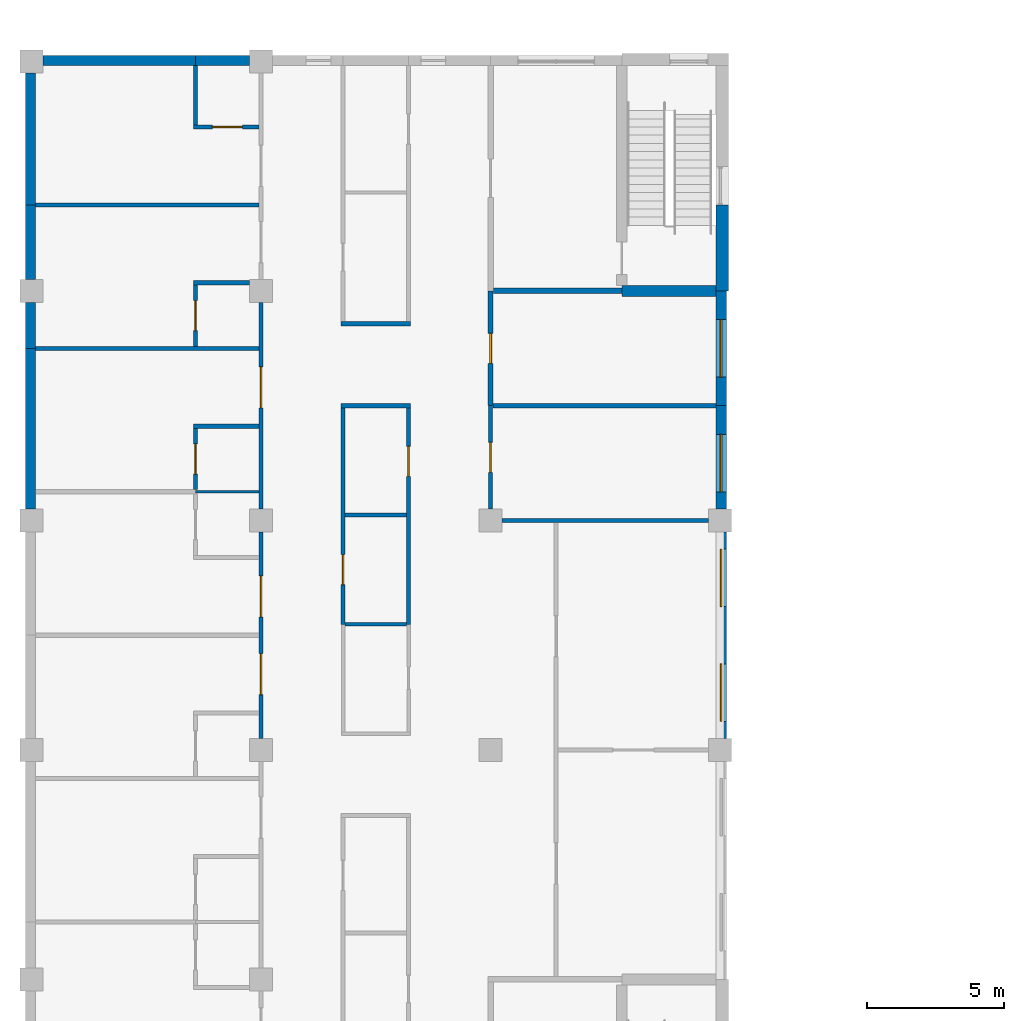
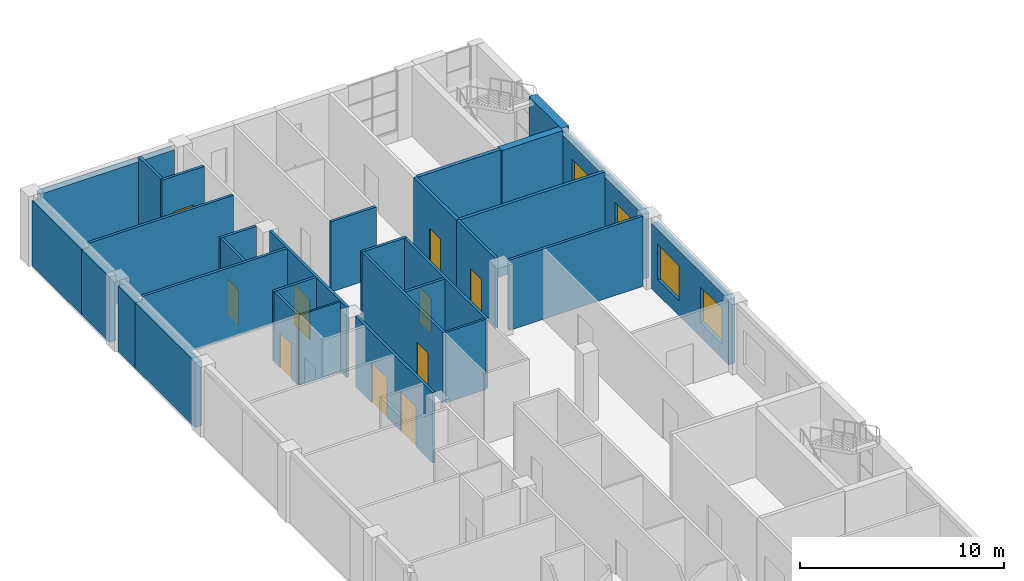
# One storey, part 44 of 66: 33 walls, 10 doors, 4 windows, 14 openings.
"""IFC4 building model written with IfcOpenShell, lengths in metres."""

from ifc_helpers import new_model, si_unit, direction, frame, frame_2d, origin, place, context, subcontext, project, spatial, rectangle, extrude, material, layer, layer_set, type_object, element, fill, save


model = new_model("IFC4")

# Units and contexts
model_context = context("Model", 3, precision=1e-05, world=origin(), true_north=direction((0.0, 1.0)))
body_context = subcontext(model_context, "Body", "Model", "MODEL_VIEW")
ifc_project = project(units=[si_unit("LENGTHUNIT", "METRE"), si_unit("AREAUNIT", "SQUARE_METRE"), si_unit("VOLUMEUNIT", "CUBIC_METRE"), si_unit("PLANEANGLEUNIT", "RADIAN"), si_unit("MASSUNIT", "GRAM", prefix="KILO")], contexts=[model_context])

# Site, building, storey
site_placement = place(None, origin())
site = spatial("IfcSite", under=ifc_project, at=site_placement, CompositionType="ELEMENT")
building_placement = place(site_placement, origin())
building = spatial("IfcBuilding", under=site, at=building_placement, Name="Yavir Park General Hospital", CompositionType="ELEMENT")
storey_placement = place(building_placement, frame((0.0, 0.0, 8.39990234375)))
storey = spatial("IfcBuildingStorey", under=building, at=storey_placement, Name="L02", CompositionType="ELEMENT", Elevation=8.39990234375)

# Wall
ifc_material_1 = material(Name="Double-leaf gypsum board acoustic partition on staggered studs")
ifc_layer_1 = layer(ifc_material_1, 0.175048828125)
ifc_layer_set_1 = layer_set([ifc_layer_1], Name="Double-leaf gypsum board acoustic partition on staggered studs")
wall_type_1 = type_object("IfcWallType", Name="Acoustic partition 175", PredefinedType="PARTITIONING", material=ifc_layer_set_1)
wall_1_placement = place(storey_placement, frame((16.887451171875, 105.0, 0.0), z_axis=(0.0, 0.0, 1.0), x_axis=(1.0, 0.0, 0.0)))
element("IfcWall", 1, at=wall_1_placement, inside=storey, type_object=wall_type_1, Name="AP175 L02-146", PredefinedType="PARTITIONING", context=body_context, shape_type="SweptSolid", body=[
    extrude(rectangle(XDim=8.16259765625, YDim=0.175048828125, at=frame_2d((4.081298828125, 0.0))), origin(), (0.0, 0.0, 1.0), 4.2001953125),
])

# Wall, opening, door
wall_2_placement = place(storey_placement, frame((16.800048828125, 105.0, 0.0), z_axis=(0.0, 0.0, 1.0), x_axis=(0.0, 1.0, 0.0)))
wall_2 = element("IfcWall", 2, at=wall_2_placement, inside=storey, type_object=wall_type_1, Name="AP175 L02-205", PredefinedType="PARTITIONING", context=body_context, shape_type="SweptSolid", body=[
    extrude(rectangle(XDim=4.199951171875, YDim=0.175048828125, at=frame_2d((2.10009765625, 0.0))), origin(), (0.0, 0.0, 1.0), 4.2001953125),
])
opening_1_placement = place(wall_2_placement, frame((1.550048828125, 0.0, 0.0)))
opening_1 = element("IfcOpeningElement", 3, at=opening_1_placement, cuts=wall_2, Name="Opening L02.D165", PredefinedType="OPENING", context=body_context, shape_type="SweptSolid", body=[
    extrude(rectangle(XDim=1.10009765625, YDim=2.10009765625, at=frame_2d((0.550048828125, 1.050048828125))), frame((0.0, 0.097412109375, 0.0), z_axis=(0.0, -1.0, 0.0), x_axis=(1.0, 0.0, 0.0)), (0.0, 0.0, 1.0), 0.195068359375),
])
ifc_material_2 = material(Name="Sealed solid-core acoustic door leaf, Rw 42 dB")
door_type_1 = type_object("IfcDoorType", Name="Acoustic door 1100 x 2100", OperationType="SINGLE_SWING_LEFT", PredefinedType="DOOR", material=ifc_material_2)
door_1_placement = place(opening_1_placement, origin())
door_1 = element("IfcDoor", 4, at=door_1_placement, inside=storey, type_object=door_type_1, Name="L02.D165", OperationType="SINGLE_SWING_LEFT", OverallHeight=2.10009765625, OverallWidth=1.10009765625, PredefinedType="DOOR", context=body_context, shape_type="SweptSolid", body=[
    extrude(rectangle(XDim=1.10009765625, YDim=2.10009765625, at=frame_2d((0.550048828125, 1.050048828125))), frame((0.0, 0.03515625, 0.0), z_axis=(0.0, -1.0, 0.0), x_axis=(1.0, 0.0, 0.0)), (0.0, 0.0, 1.0), 0.070068359375),
])
fill(opening_1, door_1)

# Walls
ifc_material_3 = material(Name="Double gypsum board fire partition on steel studs", Category="steel")
ifc_layer_2 = layer(ifc_material_3, 0.199951171875)
ifc_layer_set_2 = layer_set([ifc_layer_2], Name="Double gypsum board fire partition on steel studs")
wall_type_2 = type_object("IfcWallType", Name="Fire-rated partition 200, EI 60", PredefinedType="PARTITIONING", material=ifc_layer_set_2)
wall_3_placement = place(storey_placement, frame((16.89990234375, 109.199951171875, 0.0), z_axis=(0.0, 0.0, 1.0), x_axis=(1.0, 0.0, 0.0)))
element("IfcWall", 5, at=wall_3_placement, inside=storey, type_object=wall_type_2, Name="FP20 L02-149", PredefinedType="PARTITIONING", context=body_context, shape_type="SweptSolid", body=[
    extrude(rectangle(XDim=4.7001953125, YDim=0.199951171875, at=frame_2d((2.35009765625, 0.0))), origin(), (0.0, 0.0, 1.0), 4.2001953125),
])
ifc_material_4 = material(Name="Gypsum board partition on steel studs", Category="steel")
ifc_layer_3 = layer(ifc_material_4, 0.10009765625)
ifc_layer_set_3 = layer_set([ifc_layer_3], Name="Gypsum board partition on steel studs")
wall_type_3 = type_object("IfcWallType", Name="Gypsum board partition 100", PredefinedType="PARTITIONING", material=ifc_layer_set_3)
wall_4_placement = place(storey_placement, frame((6.0, 101.85009765625, 0.0), z_axis=(0.0, 0.0, 1.0), x_axis=(1.0, 0.0, 0.0)))
element("IfcWall", 6, at=wall_4_placement, inside=storey, type_object=wall_type_3, Name="P10 L02-143", PredefinedType="PARTITIONING", context=body_context, shape_type="SweptSolid", body=[
    extrude(rectangle(XDim=2.324951171875, YDim=0.10009765625, at=frame_2d((1.16259765625, 0.0))), origin(), (0.0, 0.0, 1.0), 4.2001953125),
])
ifc_material_5 = material(Name="Gypsum board partition on steel studs", Category="steel")
ifc_layer_4 = layer(ifc_material_5, 0.14990234375)
ifc_layer_set_4 = layer_set([ifc_layer_4], Name="Gypsum board partition on steel studs")
wall_type_4 = type_object("IfcWallType", Name="Gypsum board partition 150", PredefinedType="PARTITIONING", material=ifc_layer_set_4)
wall_5_placement = place(storey_placement, frame((17.22509765625, 100.800048828125, 0.0), z_axis=(0.0, 0.0, 1.0), x_axis=(1.0, 0.0, 0.0)))
element("IfcWall", 7, at=wall_5_placement, inside=storey, type_object=wall_type_4, Name="P15 L02-140", PredefinedType="PARTITIONING", context=body_context, shape_type="SweptSolid", body=[
    extrude(rectangle(XDim=7.5498046875, YDim=0.14990234375, at=frame_2d((3.77490234375, 0.0))), origin(), (0.0, 0.0, 1.0), 4.2001953125),
])
wall_6_placement = place(storey_placement, frame((11.47509765625, 101.0, 0.0), z_axis=(0.0, 0.0, 1.0), x_axis=(1.0, 0.0, 0.0)))
element("IfcWall", 8, at=wall_6_placement, inside=storey, type_object=wall_type_4, Name="P15 L02-141", PredefinedType="PARTITIONING", context=body_context, shape_type="SweptSolid", body=[
    extrude(rectangle(XDim=2.25, YDim=0.14990234375, at=frame_2d((1.125, 0.0))), origin(), (0.0, 0.0, 1.0), 4.2001953125),
])
wall_7_placement = place(storey_placement, frame((5.925048828125, 104.25, 0.0), z_axis=(0.0, 0.0, 1.0), x_axis=(1.0, 0.0, 0.0)))
element("IfcWall", 9, at=wall_7_placement, inside=storey, type_object=wall_type_4, Name="P15 L02-144", PredefinedType="PARTITIONING", context=body_context, shape_type="SweptSolid", body=[
    extrude(rectangle(XDim=2.39990234375, YDim=0.14990234375, at=frame_2d((1.199951171875, 0.0))), origin(), (0.0, 0.0, 1.0), 4.2001953125),
])
wall_8_placement = place(storey_placement, frame((11.324951171875, 105.0, 0.0), z_axis=(0.0, 0.0, 1.0), x_axis=(1.0, 0.0, 0.0)))
element("IfcWall", 10, at=wall_8_placement, inside=storey, type_object=wall_type_4, Name="P15 L02-145", PredefinedType="PARTITIONING", context=body_context, shape_type="SweptSolid", body=[
    extrude(rectangle(XDim=2.550048828125, YDim=0.14990234375, at=frame_2d((1.27490234375, 0.0))), origin(), (0.0, 0.0, 1.0), 4.2001953125),
])
wall_9_placement = place(storey_placement, frame((0.14990234375, 107.10009765625, 0.0), z_axis=(0.0, 0.0, 1.0), x_axis=(1.0, 0.0, 0.0)))
element("IfcWall", 11, at=wall_9_placement, inside=storey, type_object=wall_type_4, Name="P15 L02-147", PredefinedType="PARTITIONING", context=body_context, shape_type="SweptSolid", body=[
    extrude(rectangle(XDim=8.175048828125, YDim=0.14990234375, at=frame_2d((4.08740234375, 0.0))), origin(), (0.0, 0.0, 1.0), 4.2001953125),
])
wall_10_placement = place(storey_placement, frame((11.324951171875, 108.0, 0.0), z_axis=(0.0, 0.0, 1.0), x_axis=(1.0, 0.0, 0.0)))
element("IfcWall", 12, at=wall_10_placement, inside=storey, type_object=wall_type_4, Name="P15 L02-148", PredefinedType="PARTITIONING", context=body_context, shape_type="SweptSolid", body=[
    extrude(rectangle(XDim=2.550048828125, YDim=0.14990234375, at=frame_2d((1.27490234375, 0.0))), origin(), (0.0, 0.0, 1.0), 4.2001953125),
])
wall_11_placement = place(storey_placement, frame((5.925048828125, 109.5, 0.0), z_axis=(0.0, 0.0, 1.0), x_axis=(1.0, 0.0, 0.0)))
element("IfcWall", 13, at=wall_11_placement, inside=storey, type_object=wall_type_4, Name="P15 L02-151", PredefinedType="PARTITIONING", context=body_context, shape_type="SweptSolid", body=[
    extrude(rectangle(XDim=2.050048828125, YDim=0.14990234375, at=frame_2d((1.02490234375, 0.0))), origin(), (0.0, 0.0, 1.0), 4.2001953125),
])
wall_12_placement = place(storey_placement, frame((0.14990234375, 112.35009765625, 0.0), z_axis=(0.0, 0.0, 1.0), x_axis=(1.0, 0.0, 0.0)))
element("IfcWall", 14, at=wall_12_placement, inside=storey, type_object=wall_type_4, Name="P15 L02-152", PredefinedType="PARTITIONING", context=body_context, shape_type="SweptSolid", body=[
    extrude(rectangle(XDim=8.175048828125, YDim=0.14990234375, at=frame_2d((4.08740234375, 0.0))), origin(), (0.0, 0.0, 1.0), 4.2001953125),
])

# Wall, opening, door
wall_13_placement = place(storey_placement, frame((5.925048828125, 115.199951171875, 0.0), z_axis=(0.0, 0.0, 1.0), x_axis=(1.0, 0.0, 0.0)))
wall_13 = element("IfcWall", 15, at=wall_13_placement, inside=storey, type_object=wall_type_4, Name="P15 L02-154", PredefinedType="PARTITIONING", context=body_context, shape_type="SweptSolid", body=[
    extrude(rectangle(XDim=2.39990234375, YDim=0.14990234375, at=frame_2d((1.199951171875, 0.0))), origin(), (0.0, 0.0, 1.0), 4.2001953125),
])
opening_2_placement = place(wall_13_placement, frame((0.6875, 0.0, 0.0)))
opening_2 = element("IfcOpeningElement", 16, at=opening_2_placement, cuts=wall_13, Name="Opening L02.D106", PredefinedType="OPENING", context=body_context, shape_type="SweptSolid", body=[
    extrude(rectangle(XDim=1.10009765625, YDim=2.10009765625, at=frame_2d((0.550048828125, 1.050048828125))), frame((0.0, 0.0849609375, 0.0), z_axis=(0.0, -1.0, 0.0), x_axis=(1.0, 0.0, 0.0)), (0.0, 0.0, 1.0), 0.169921875),
])
ifc_material_6 = material(Name="Hollow metal frame, solid-core timber leaf", Category="wood")
door_type_2 = type_object("IfcDoorType", Name="Single swing door 1100 x 2100", OperationType="SINGLE_SWING_LEFT", PredefinedType="DOOR", material=ifc_material_6)
door_2_placement = place(opening_2_placement, origin())
door_2 = element("IfcDoor", 17, at=door_2_placement, inside=storey, type_object=door_type_2, Name="L02.D106", OperationType="SINGLE_SWING_RIGHT", OverallHeight=2.10009765625, OverallWidth=1.10009765625, PredefinedType="DOOR", context=body_context, shape_type="SweptSolid", body=[
    extrude(rectangle(XDim=1.10009765625, YDim=2.10009765625, at=frame_2d((0.550048828125, 1.050048828125))), frame((0.0, 0.02490234375, 0.0), z_axis=(0.0, -1.0, 0.0), x_axis=(1.0, 0.0, 0.0)), (0.0, 0.0, 1.0), 0.050048828125),
])
fill(opening_2, door_2)

wall_14_placement = place(storey_placement, frame((6.0, 101.925048828125, 0.0), z_axis=(0.0, 0.0, 1.0), x_axis=(0.0, 1.0, 0.0)))
wall_14 = element("IfcWall", 18, at=wall_14_placement, inside=storey, type_object=wall_type_4, Name="P15 L02-162", PredefinedType="PARTITIONING", context=body_context, shape_type="SweptSolid", body=[
    extrude(rectangle(XDim=2.25, YDim=0.14990234375, at=frame_2d((1.125, 0.0))), origin(), (0.0, 0.0, 1.0), 4.2001953125),
])
opening_3_placement = place(wall_14_placement, frame((0.574951171875, 0.0, 0.0)))
opening_3 = element("IfcOpeningElement", 19, at=opening_3_placement, cuts=wall_14, Name="Opening L02.D115", PredefinedType="OPENING", context=body_context, shape_type="SweptSolid", body=[
    extrude(rectangle(XDim=1.10009765625, YDim=2.10009765625, at=frame_2d((0.550048828125, 1.050048828125))), frame((0.0, 0.0849609375, 0.0), z_axis=(0.0, -1.0, 0.0), x_axis=(1.0, 0.0, 0.0)), (0.0, 0.0, 1.0), 0.169921875),
])
door_3_placement = place(opening_3_placement, origin())
door_3 = element("IfcDoor", 20, at=door_3_placement, inside=storey, type_object=door_type_2, Name="L02.D115", OperationType="SINGLE_SWING_RIGHT", OverallHeight=2.10009765625, OverallWidth=1.10009765625, PredefinedType="DOOR", context=body_context, shape_type="SweptSolid", body=[
    extrude(rectangle(XDim=1.10009765625, YDim=2.10009765625, at=frame_2d((0.550048828125, 1.050048828125))), frame((0.0, 0.02490234375, 0.0), z_axis=(0.0, -1.0, 0.0), x_axis=(1.0, 0.0, 0.0)), (0.0, 0.0, 1.0), 0.050048828125),
])
fill(opening_3, door_3)

wall_15_placement = place(storey_placement, frame((6.0, 107.175048828125, 0.0), z_axis=(0.0, 0.0, 1.0), x_axis=(0.0, 1.0, 0.0)))
wall_15 = element("IfcWall", 21, at=wall_15_placement, inside=storey, type_object=wall_type_4, Name="P15 L02-163", PredefinedType="PARTITIONING", context=body_context, shape_type="SweptSolid", body=[
    extrude(rectangle(XDim=2.25, YDim=0.14990234375, at=frame_2d((1.125, 0.0))), origin(), (0.0, 0.0, 1.0), 4.2001953125),
])
opening_4_placement = place(wall_15_placement, frame((0.574951171875, 0.0, 0.0)))
opening_4 = element("IfcOpeningElement", 22, at=opening_4_placement, cuts=wall_15, Name="Opening L02.D116", PredefinedType="OPENING", context=body_context, shape_type="SweptSolid", body=[
    extrude(rectangle(XDim=1.10009765625, YDim=2.10009765625, at=frame_2d((0.550048828125, 1.050048828125))), frame((0.0, 0.0849609375, 0.0), z_axis=(0.0, -1.0, 0.0), x_axis=(1.0, 0.0, 0.0)), (0.0, 0.0, 1.0), 0.169921875),
])
door_4_placement = place(opening_4_placement, origin())
door_4 = element("IfcDoor", 23, at=door_4_placement, inside=storey, type_object=door_type_2, Name="L02.D116", OperationType="SINGLE_SWING_RIGHT", OverallHeight=2.10009765625, OverallWidth=1.10009765625, PredefinedType="DOOR", context=body_context, shape_type="SweptSolid", body=[
    extrude(rectangle(XDim=1.10009765625, YDim=2.10009765625, at=frame_2d((0.550048828125, 1.050048828125))), frame((0.0, 0.02490234375, 0.0), z_axis=(0.0, -1.0, 0.0), x_axis=(1.0, 0.0, 0.0)), (0.0, 0.0, 1.0), 0.050048828125),
])
fill(opening_4, door_4)

# Wall
wall_16_placement = place(storey_placement, frame((6.0, 115.27490234375, 0.0), z_axis=(0.0, 0.0, 1.0), x_axis=(0.0, 1.0, 0.0)))
element("IfcWall", 24, at=wall_16_placement, inside=storey, type_object=wall_type_4, Name="P15 L02-164", PredefinedType="PARTITIONING", context=body_context, shape_type="SweptSolid", body=[
    extrude(rectangle(XDim=2.175048828125, YDim=0.14990234375, at=frame_2d((1.08740234375, 0.0))), origin(), (0.0, 0.0, 1.0), 4.2001953125),
])

# Wall, openings, doors
wall_17_placement = place(storey_placement, frame((8.39990234375, 92.824951171875, 0.0), z_axis=(0.0, 0.0, 1.0), x_axis=(0.0, 1.0, 0.0)))
wall_17 = element("IfcWall", 25, at=wall_17_placement, inside=storey, type_object=wall_type_4, Name="P15 L02-175", PredefinedType="PARTITIONING", context=body_context, shape_type="SweptSolid", body=[
    extrude(rectangle(XDim=7.550048828125, YDim=0.14990234375, at=frame_2d((3.77490234375, 0.0))), origin(), (0.0, 0.0, 1.0), 4.2001953125),
])
opening_5_placement = place(wall_17_placement, frame((1.60009765625, 0.0, 0.0)))
opening_5 = element("IfcOpeningElement", 26, at=opening_5_placement, cuts=wall_17, Name="Opening L02.D126", PredefinedType="OPENING", context=body_context, shape_type="SweptSolid", body=[
    extrude(rectangle(XDim=1.5, YDim=2.39990234375, at=frame_2d((0.75, 1.199951171875))), frame((0.0, 0.0849609375, 0.0), z_axis=(0.0, -1.0, 0.0), x_axis=(1.0, 0.0, 0.0)), (0.0, 0.0, 1.0), 0.169921875),
])
opening_6_placement = place(wall_17_placement, frame((4.449951171875, 0.0, 0.0)))
opening_6 = element("IfcOpeningElement", 27, at=opening_6_placement, cuts=wall_17, Name="Opening L02.D127", PredefinedType="OPENING", context=body_context, shape_type="SweptSolid", body=[
    extrude(rectangle(XDim=1.5, YDim=2.39990234375, at=frame_2d((0.75, 1.199951171875))), frame((0.0, 0.0849609375, 0.0), z_axis=(0.0, -1.0, 0.0), x_axis=(1.0, 0.0, 0.0)), (0.0, 0.0, 1.0), 0.169921875),
])
ifc_material_7 = material(Name="Solid-core timber leaves, push plates, kick plates", Category="wood")
door_type_3 = type_object("IfcDoorType", Name="Bed door, unequal leaves 1500 x 2400", OperationType="DOUBLE_DOOR_SINGLE_SWING", PredefinedType="DOOR", material=ifc_material_7)
door_5_placement = place(opening_5_placement, origin())
door_5 = element("IfcDoor", 28, at=door_5_placement, inside=storey, type_object=door_type_3, Name="L02.D126", OperationType="SINGLE_SWING_LEFT", OverallHeight=2.39990234375, OverallWidth=1.5, PredefinedType="DOOR", context=body_context, shape_type="SweptSolid", body=[
    extrude(rectangle(XDim=1.5, YDim=2.39990234375, at=frame_2d((0.75, 1.199951171875))), frame((0.0, 0.030029296875, 0.0), z_axis=(0.0, -1.0, 0.0), x_axis=(1.0, 0.0, 0.0)), (0.0, 0.0, 1.0), 0.06005859375),
])
fill(opening_5, door_5)
door_6_placement = place(opening_6_placement, origin())
door_6 = element("IfcDoor", 29, at=door_6_placement, inside=storey, type_object=door_type_3, Name="L02.D127", OperationType="SINGLE_SWING_RIGHT", OverallHeight=2.39990234375, OverallWidth=1.5, PredefinedType="DOOR", context=body_context, shape_type="SweptSolid", body=[
    extrude(rectangle(XDim=1.5, YDim=2.39990234375, at=frame_2d((0.75, 1.199951171875))), frame((0.0, 0.030029296875, 0.0), z_axis=(0.0, -1.0, 0.0), x_axis=(1.0, 0.0, 0.0)), (0.0, 0.0, 1.0), 0.06005859375),
])
fill(opening_6, door_6)

# Wall, opening, door
wall_18_placement = place(storey_placement, frame((8.39990234375, 101.22509765625, 0.0), z_axis=(0.0, 0.0, 1.0), x_axis=(0.0, 1.0, 0.0)))
wall_18 = element("IfcWall", 30, at=wall_18_placement, inside=storey, type_object=wall_type_4, Name="P15 L02-176", PredefinedType="PARTITIONING", context=body_context, shape_type="SweptSolid", body=[
    extrude(rectangle(XDim=7.5498046875, YDim=0.14990234375, at=frame_2d((3.77490234375, 0.0))), origin(), (0.0, 0.0, 1.0), 4.2001953125),
])
opening_7_placement = place(wall_18_placement, frame((3.699951171875, 0.0, 0.0)))
opening_7 = element("IfcOpeningElement", 31, at=opening_7_placement, cuts=wall_18, Name="Opening L02.D128", PredefinedType="OPENING", context=body_context, shape_type="SweptSolid", body=[
    extrude(rectangle(XDim=1.5, YDim=2.39990234375, at=frame_2d((0.75, 1.199951171875))), frame((0.0, 0.0849609375, 0.0), z_axis=(0.0, -1.0, 0.0), x_axis=(1.0, 0.0, 0.0)), (0.0, 0.0, 1.0), 0.169921875),
])
door_7_placement = place(opening_7_placement, origin())
door_7 = element("IfcDoor", 32, at=door_7_placement, inside=storey, type_object=door_type_3, Name="L02.D128", OperationType="SINGLE_SWING_RIGHT", OverallHeight=2.39990234375, OverallWidth=1.5, PredefinedType="DOOR", context=body_context, shape_type="SweptSolid", body=[
    extrude(rectangle(XDim=1.5, YDim=2.39990234375, at=frame_2d((0.75, 1.199951171875))), frame((0.0, 0.030029296875, 0.0), z_axis=(0.0, -1.0, 0.0), x_axis=(1.0, 0.0, 0.0)), (0.0, 0.0, 1.0), 0.06005859375),
])
fill(opening_7, door_7)

wall_19_placement = place(storey_placement, frame((11.39990234375, 97.0, 0.0), z_axis=(0.0, 0.0, 1.0), x_axis=(0.0, 1.0, 0.0)))
wall_19 = element("IfcWall", 33, at=wall_19_placement, inside=storey, type_object=wall_type_4, Name="P15 L02-183", PredefinedType="PARTITIONING", context=body_context, shape_type="SweptSolid", body=[
    extrude(rectangle(XDim=7.925048828125, YDim=0.14990234375, at=frame_2d((3.96240234375, 0.0))), origin(), (0.0, 0.0, 1.0), 4.2001953125),
])
opening_8_placement = place(wall_19_placement, frame((1.449951171875, 0.0, 0.0)))
opening_8 = element("IfcOpeningElement", 34, at=opening_8_placement, cuts=wall_19, Name="Opening L02.D140", PredefinedType="OPENING", context=body_context, shape_type="SweptSolid", body=[
    extrude(rectangle(XDim=1.10009765625, YDim=2.10009765625, at=frame_2d((0.550048828125, 1.050048828125))), frame((0.0, 0.0849609375, 0.0), z_axis=(0.0, -1.0, 0.0), x_axis=(1.0, 0.0, 0.0)), (0.0, 0.0, 1.0), 0.169921875),
])
door_8_placement = place(opening_8_placement, origin())
door_8 = element("IfcDoor", 35, at=door_8_placement, inside=storey, type_object=door_type_2, Name="L02.D140", OperationType="SINGLE_SWING_LEFT", OverallHeight=2.10009765625, OverallWidth=1.10009765625, PredefinedType="DOOR", context=body_context, shape_type="SweptSolid", body=[
    extrude(rectangle(XDim=1.10009765625, YDim=2.10009765625, at=frame_2d((0.550048828125, 1.050048828125))), frame((0.0, 0.02490234375, 0.0), z_axis=(0.0, -1.0, 0.0), x_axis=(1.0, 0.0, 0.0)), (0.0, 0.0, 1.0), 0.050048828125),
])
fill(opening_8, door_8)

wall_20_placement = place(storey_placement, frame((13.800048828125, 97.0, 0.0), z_axis=(0.0, 0.0, 1.0), x_axis=(0.0, 1.0, 0.0)))
wall_20 = element("IfcWall", 36, at=wall_20_placement, inside=storey, type_object=wall_type_4, Name="P15 L02-190", PredefinedType="PARTITIONING", context=body_context, shape_type="SweptSolid", body=[
    extrude(rectangle(XDim=7.925048828125, YDim=0.14990234375, at=frame_2d((3.96240234375, 0.0))), origin(), (0.0, 0.0, 1.0), 4.2001953125),
])
opening_9_placement = place(wall_20_placement, frame((5.41259765625, 0.0, 0.0)))
opening_9 = element("IfcOpeningElement", 37, at=opening_9_placement, cuts=wall_20, Name="Opening L02.D151", PredefinedType="OPENING", context=body_context, shape_type="SweptSolid", body=[
    extrude(rectangle(XDim=1.10009765625, YDim=2.10009765625, at=frame_2d((0.550048828125, 1.050048828125))), frame((0.0, 0.0849609375, 0.0), z_axis=(0.0, -1.0, 0.0), x_axis=(1.0, 0.0, 0.0)), (0.0, 0.0, 1.0), 0.169921875),
])
door_9_placement = place(opening_9_placement, origin())
door_9 = element("IfcDoor", 38, at=door_9_placement, inside=storey, type_object=door_type_2, Name="L02.D151", OperationType="SINGLE_SWING_RIGHT", OverallHeight=2.10009765625, OverallWidth=1.10009765625, PredefinedType="DOOR", context=body_context, shape_type="SweptSolid", body=[
    extrude(rectangle(XDim=1.10009765625, YDim=2.10009765625, at=frame_2d((0.550048828125, 1.050048828125))), frame((0.0, 0.02490234375, 0.0), z_axis=(0.0, -1.0, 0.0), x_axis=(1.0, 0.0, 0.0)), (0.0, 0.0, 1.0), 0.050048828125),
])
fill(opening_9, door_9)

wall_21_placement = place(storey_placement, frame((16.800048828125, 101.22509765625, 0.0), z_axis=(0.0, 0.0, 1.0), x_axis=(0.0, 1.0, 0.0)))
wall_21 = element("IfcWall", 39, at=wall_21_placement, inside=storey, type_object=wall_type_4, Name="P15 L02-204", PredefinedType="PARTITIONING", context=body_context, shape_type="SweptSolid", body=[
    extrude(rectangle(XDim=3.77490234375, YDim=0.14990234375, at=frame_2d((1.887451171875, 0.0))), origin(), (0.0, 0.0, 1.0), 4.2001953125),
])
opening_10_placement = place(wall_21_placement, frame((1.33740234375, 0.0, 0.0)))
opening_10 = element("IfcOpeningElement", 40, at=opening_10_placement, cuts=wall_21, Name="Opening L02.D164", PredefinedType="OPENING", context=body_context, shape_type="SweptSolid", body=[
    extrude(rectangle(XDim=1.10009765625, YDim=2.10009765625, at=frame_2d((0.550048828125, 1.050048828125))), frame((0.0, 0.0849609375, 0.0), z_axis=(0.0, -1.0, 0.0), x_axis=(1.0, 0.0, 0.0)), (0.0, 0.0, 1.0), 0.169921875),
])
door_10_placement = place(opening_10_placement, origin())
door_10 = element("IfcDoor", 41, at=door_10_placement, inside=storey, type_object=door_type_2, Name="L02.D164", OperationType="SINGLE_SWING_RIGHT", OverallHeight=2.10009765625, OverallWidth=1.10009765625, PredefinedType="DOOR", context=body_context, shape_type="SweptSolid", body=[
    extrude(rectangle(XDim=1.10009765625, YDim=2.10009765625, at=frame_2d((0.550048828125, 1.050048828125))), frame((0.0, 0.02490234375, 0.0), z_axis=(0.0, -1.0, 0.0), x_axis=(1.0, 0.0, 0.0)), (0.0, 0.0, 1.0), 0.050048828125),
])
fill(opening_10, door_10)

# Walls
ifc_material_8 = material(Name="Autoclaved aerated block, 150 mm mineral wool and sand-coloured mineral render")
ifc_layer_5 = layer(ifc_material_8, 0.375)
ifc_layer_set_5 = layer_set([ifc_layer_5], Name="Autoclaved aerated block, 150 mm mineral wool and sand-coloured mineral render")
wall_type_5 = type_object("IfcWallType", Name="Mineral render clinical wall 375, E 30", PredefinedType="SOLIDWALL", material=ifc_layer_set_5)
wall_22_placement = place(storey_placement, frame((0.425048828125, 117.637451171875, 0.0), z_axis=(0.0, 0.0, 1.0), x_axis=(1.0, 0.0, 0.0)))
element("IfcWall", 42, at=wall_22_placement, inside=storey, type_object=wall_type_5, Name="XW1 L02-094", PredefinedType="SOLIDWALL", context=body_context, shape_type="SweptSolid", body=[
    extrude(rectangle(XDim=5.574951171875, YDim=0.375, at=frame_2d((2.78759765625, 0.0))), origin(), (0.0, 0.0, 1.0), 3.900146484375),
])
wall_23_placement = place(storey_placement, frame((6.0, 117.637451171875, 0.0), z_axis=(0.0, 0.0, 1.0), x_axis=(1.0, 0.0, 0.0)))
element("IfcWall", 43, at=wall_23_placement, inside=storey, type_object=wall_type_5, Name="XW1 L02-095", PredefinedType="SOLIDWALL", context=body_context, shape_type="SweptSolid", body=[
    extrude(rectangle(XDim=1.97509765625, YDim=0.375, at=frame_2d((0.987548828125, 0.0))), origin(), (0.0, 0.0, 1.0), 3.900146484375),
])
wall_24_placement = place(storey_placement, frame((-0.03759765625, 101.22509765625, 0.0), z_axis=(0.0, 0.0, 1.0), x_axis=(0.0, 1.0, 0.0)))
element("IfcWall", 44, at=wall_24_placement, inside=storey, type_object=wall_type_5, Name="XW1 L02-132", PredefinedType="SOLIDWALL", context=body_context, shape_type="SweptSolid", body=[
    extrude(rectangle(XDim=5.875, YDim=0.375, at=frame_2d((2.9375, 0.0))), origin(), (0.0, 0.0, 1.0), 3.900146484375),
])
wall_25_placement = place(storey_placement, frame((-0.03759765625, 107.10009765625, 0.0), z_axis=(0.0, 0.0, 1.0), x_axis=(0.0, 1.0, 0.0)))
element("IfcWall", 45, at=wall_25_placement, inside=storey, type_object=wall_type_5, Name="XW1 L02-133", PredefinedType="SOLIDWALL", context=body_context, shape_type="SweptSolid", body=[
    extrude(rectangle(XDim=1.6748046875, YDim=0.375, at=frame_2d((0.83740234375, 0.0))), origin(), (0.0, 0.0, 1.0), 3.900146484375),
])
wall_26_placement = place(storey_placement, frame((-0.03759765625, 109.625, 0.0), z_axis=(0.0, 0.0, 1.0), x_axis=(0.0, 1.0, 0.0)))
element("IfcWall", 46, at=wall_26_placement, inside=storey, type_object=wall_type_5, Name="XW1 L02-134", PredefinedType="SOLIDWALL", context=body_context, shape_type="SweptSolid", body=[
    extrude(rectangle(XDim=2.72509765625, YDim=0.375, at=frame_2d((1.362548828125, 0.0))), origin(), (0.0, 0.0, 1.0), 3.900146484375),
])
wall_27_placement = place(storey_placement, frame((-0.03759765625, 112.35009765625, 0.0), z_axis=(0.0, 0.0, 1.0), x_axis=(0.0, 1.0, 0.0)))
element("IfcWall", 47, at=wall_27_placement, inside=storey, type_object=wall_type_5, Name="XW1 L02-135", PredefinedType="SOLIDWALL", context=body_context, shape_type="SweptSolid", body=[
    extrude(rectangle(XDim=4.824951171875, YDim=0.375, at=frame_2d((2.41259765625, 0.0))), origin(), (0.0, 0.0, 1.0), 3.900146484375),
])

# Wall, openings, windows
wall_28_placement = place(storey_placement, frame((25.237548828125, 92.824951171875, 0.0), z_axis=(0.0, 0.0, 1.0), x_axis=(0.0, 1.0, 0.0)))
wall_28 = element("IfcWall", 48, at=wall_28_placement, inside=storey, type_object=wall_type_5, Name="XW1 L02-150", PredefinedType="SOLIDWALL", context=body_context, shape_type="SweptSolid", body=[
    extrude(rectangle(XDim=7.550048828125, YDim=0.375, at=frame_2d((3.77490234375, 0.0))), origin(), (0.0, 0.0, 1.0), 3.900146484375),
])
opening_11_placement = place(wall_28_placement, frame((0.625, 0.0, 0.89990234375)))
opening_11 = element("IfcOpeningElement", 49, at=opening_11_placement, cuts=wall_28, Name="Opening WA2", PredefinedType="OPENING", context=body_context, shape_type="SweptSolid", body=[
    extrude(rectangle(XDim=2.10009765625, YDim=2.10009765625, at=frame_2d((1.050048828125, 1.050048828125))), frame((0.0, 0.197509765625, 0.0), z_axis=(0.0, -1.0, 0.0), x_axis=(1.0, 0.0, 0.0)), (0.0, 0.0, 1.0), 0.39501953125),
])
opening_12_placement = place(wall_28_placement, frame((4.824951171875, 0.0, 0.89990234375)))
opening_12 = element("IfcOpeningElement", 50, at=opening_12_placement, cuts=wall_28, Name="Opening WA2", PredefinedType="OPENING", context=body_context, shape_type="SweptSolid", body=[
    extrude(rectangle(XDim=2.10009765625, YDim=2.10009765625, at=frame_2d((1.050048828125, 1.050048828125))), frame((0.0, 0.197509765625, 0.0), z_axis=(0.0, -1.0, 0.0), x_axis=(1.0, 0.0, 0.0)), (0.0, 0.0, 1.0), 0.39501953125),
])
ifc_material_9 = material(Name="Aluminium frame, double glazed unit", Category="aluminium")
window_type = type_object("IfcWindowType", Name="Tall window 2100 x 2100", PartitioningType="DOUBLE_PANEL_VERTICAL", PredefinedType="WINDOW", material=ifc_material_9)
window_1_placement = place(opening_11_placement, origin())
window_1 = element("IfcWindow", 51, at=window_1_placement, inside=storey, type_object=window_type, Name="WA2 L02-064", OverallHeight=2.10009765625, OverallWidth=2.10009765625, PartitioningType="DOUBLE_PANEL_VERTICAL", PredefinedType="WINDOW", context=body_context, shape_type="SweptSolid", body=[
    extrude(rectangle(XDim=2.10009765625, YDim=2.10009765625, at=frame_2d((1.050048828125, 1.050048828125))), frame((0.0, 0.030029296875, 0.0), z_axis=(0.0, -1.0, 0.0), x_axis=(1.0, 0.0, 0.0)), (0.0, 0.0, 1.0), 0.06005859375),
])
fill(opening_11, window_1)
window_2_placement = place(opening_12_placement, origin())
window_2 = element("IfcWindow", 52, at=window_2_placement, inside=storey, type_object=window_type, Name="WA2 L02-065", OverallHeight=2.10009765625, OverallWidth=2.10009765625, PartitioningType="DOUBLE_PANEL_VERTICAL", PredefinedType="WINDOW", context=body_context, shape_type="SweptSolid", body=[
    extrude(rectangle(XDim=2.10009765625, YDim=2.10009765625, at=frame_2d((1.050048828125, 1.050048828125))), frame((0.0, 0.030029296875, 0.0), z_axis=(0.0, -1.0, 0.0), x_axis=(1.0, 0.0, 0.0)), (0.0, 0.0, 1.0), 0.06005859375),
])
fill(opening_12, window_2)

# Wall, opening, window
wall_29_placement = place(storey_placement, frame((25.237548828125, 101.22509765625, 0.0), z_axis=(0.0, 0.0, 1.0), x_axis=(0.0, 1.0, 0.0)))
wall_29 = element("IfcWall", 53, at=wall_29_placement, inside=storey, type_object=wall_type_5, Name="XW1 L02-151", PredefinedType="SOLIDWALL", context=body_context, shape_type="SweptSolid", body=[
    extrude(rectangle(XDim=3.77490234375, YDim=0.375, at=frame_2d((1.887451171875, 0.0))), origin(), (0.0, 0.0, 1.0), 3.900146484375),
])
opening_13_placement = place(wall_29_placement, frame((0.625, 0.0, 0.89990234375)))
opening_13 = element("IfcOpeningElement", 54, at=opening_13_placement, cuts=wall_29, Name="Opening WA2", PredefinedType="OPENING", context=body_context, shape_type="SweptSolid", body=[
    extrude(rectangle(XDim=2.10009765625, YDim=2.10009765625, at=frame_2d((1.050048828125, 1.050048828125))), frame((0.0, 0.197509765625, 0.0), z_axis=(0.0, -1.0, 0.0), x_axis=(1.0, 0.0, 0.0)), (0.0, 0.0, 1.0), 0.39501953125),
])
window_3_placement = place(opening_13_placement, origin())
window_3 = element("IfcWindow", 55, at=window_3_placement, inside=storey, type_object=window_type, Name="WA2 L02-066", OverallHeight=2.10009765625, OverallWidth=2.10009765625, PartitioningType="DOUBLE_PANEL_VERTICAL", PredefinedType="WINDOW", context=body_context, shape_type="SweptSolid", body=[
    extrude(rectangle(XDim=2.10009765625, YDim=2.10009765625, at=frame_2d((1.050048828125, 1.050048828125))), frame((0.0, 0.030029296875, 0.0), z_axis=(0.0, -1.0, 0.0), x_axis=(1.0, 0.0, 0.0)), (0.0, 0.0, 1.0), 0.06005859375),
])
fill(opening_13, window_3)

wall_30_placement = place(storey_placement, frame((25.237548828125, 105.0, 0.0), z_axis=(0.0, 0.0, 1.0), x_axis=(0.0, 1.0, 0.0)))
wall_30 = element("IfcWall", 56, at=wall_30_placement, inside=storey, type_object=wall_type_5, Name="XW1 L02-152", PredefinedType="SOLIDWALL", context=body_context, shape_type="SweptSolid", body=[
    extrude(rectangle(XDim=4.199951171875, YDim=0.375, at=frame_2d((2.10009765625, 0.0))), origin(), (0.0, 0.0, 1.0), 3.900146484375),
])
opening_14_placement = place(wall_30_placement, frame((1.050048828125, 0.0, 0.89990234375)))
opening_14 = element("IfcOpeningElement", 57, at=opening_14_placement, cuts=wall_30, Name="Opening WA2", PredefinedType="OPENING", context=body_context, shape_type="SweptSolid", body=[
    extrude(rectangle(XDim=2.10009765625, YDim=2.10009765625, at=frame_2d((1.050048828125, 1.050048828125))), frame((0.0, 0.197509765625, 0.0), z_axis=(0.0, -1.0, 0.0), x_axis=(1.0, 0.0, 0.0)), (0.0, 0.0, 1.0), 0.39501953125),
])
window_4_placement = place(opening_14_placement, origin())
window_4 = element("IfcWindow", 58, at=window_4_placement, inside=storey, type_object=window_type, Name="WA2 L02-067", OverallHeight=2.10009765625, OverallWidth=2.10009765625, PartitioningType="DOUBLE_PANEL_VERTICAL", PredefinedType="WINDOW", context=body_context, shape_type="SweptSolid", body=[
    extrude(rectangle(XDim=2.10009765625, YDim=2.10009765625, at=frame_2d((1.050048828125, 1.050048828125))), frame((0.0, 0.030029296875, 0.0), z_axis=(0.0, -1.0, 0.0), x_axis=(1.0, 0.0, 0.0)), (0.0, 0.0, 1.0), 0.06005859375),
])
fill(opening_14, window_4)

# Walls
ifc_material_10 = material(Name="Concrete C35/45", Category="concrete")
ifc_layer_6 = layer(ifc_material_10, 0.39990234375)
ifc_layer_set_6 = layer_set([ifc_layer_6], Name="Concrete C35/45")
wall_type_6 = type_object("IfcWallType", Name="Reinforced concrete core wall 400, REI 150", PredefinedType="SHEAR", material=ifc_layer_set_6)
wall_31_placement = place(storey_placement, frame((21.60009765625, 109.199951171875, 0.0), z_axis=(0.0, 0.0, 1.0), x_axis=(1.0, 0.0, 0.0)))
element("IfcWall", 59, at=wall_31_placement, inside=storey, type_object=wall_type_6, Name="CW40 L02-150", PredefinedType="SHEAR", context=body_context, shape_type="SweptSolid", body=[
    extrude(rectangle(XDim=3.449951171875, YDim=0.39990234375, at=frame_2d((1.72509765625, 0.0))), origin(), (0.0, 0.0, 1.0), 4.2001953125),
])
ifc_material_11 = material(Name="Gypsum shaft wall system on steel studs", Category="steel")
ifc_layer_7 = layer(ifc_material_11, 0.125)
ifc_layer_set_7 = layer_set([ifc_layer_7], Name="Gypsum shaft wall system on steel studs")
wall_type_7 = type_object("IfcWallType", Name="Shaft wall 125, EI 90", PredefinedType="SOLIDWALL", material=ifc_layer_set_7)
wall_32_placement = place(storey_placement, frame((11.47509765625, 97.0, 0.0), z_axis=(0.0, 0.0, 1.0), x_axis=(1.0, 0.0, 0.0)))
element("IfcWall", 60, at=wall_32_placement, inside=storey, type_object=wall_type_7, Name="SW125 L02-138", PredefinedType="SOLIDWALL", context=body_context, shape_type="SweptSolid", body=[
    extrude(rectangle(XDim=2.25, YDim=0.125, at=frame_2d((1.125, 0.0))), origin(), (0.0, 0.0, 1.0), 4.2001953125),
])
ifc_material_12 = material(Name="Concrete C30/37 precast panel with 150 mm mineral wool insulation", Category="concrete")
ifc_layer_8 = layer(ifc_material_12, 0.449951171875)
ifc_layer_set_8 = layer_set([ifc_layer_8], Name="Concrete C30/37 precast panel with 150 mm mineral wool insulation")
wall_type_8 = type_object("IfcWallType", Name="Stair enclosure wall 450, REI 150", PredefinedType="SOLIDWALL", material=ifc_layer_set_8)
wall_33_placement = place(storey_placement, frame((25.27490234375, 109.199951171875, 0.0), z_axis=(0.0, 0.0, 1.0), x_axis=(0.0, 1.0, 0.0)))
element("IfcWall", 61, at=wall_33_placement, inside=storey, type_object=wall_type_8, Name="XW6 L02-153", PredefinedType="SOLIDWALL", context=body_context, shape_type="SweptSolid", body=[
    extrude(rectangle(XDim=3.150146484375, YDim=0.449951171875, at=frame_2d((1.5751953125, 0.0))), origin(), (0.0, 0.0, 1.0), 4.2001953125),
])

save(model, "model.ifc")
